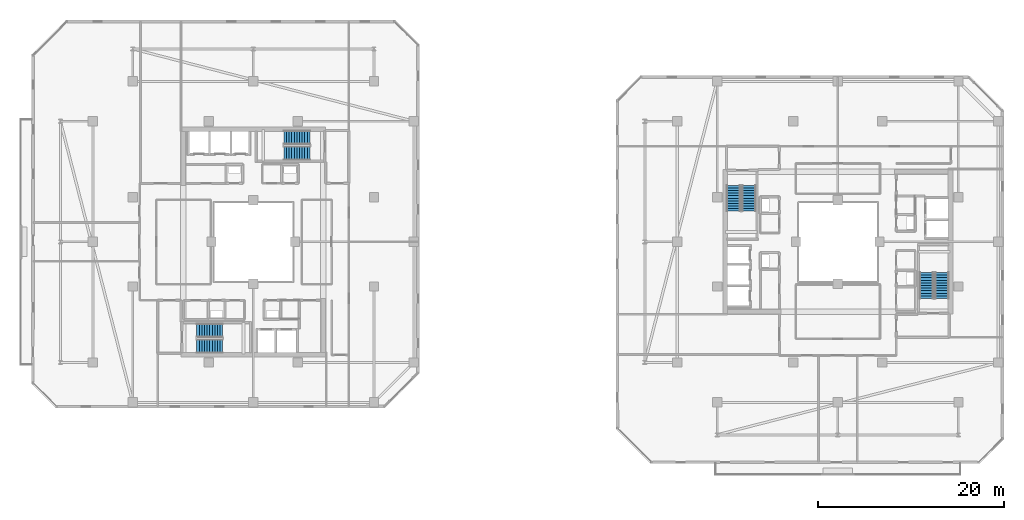
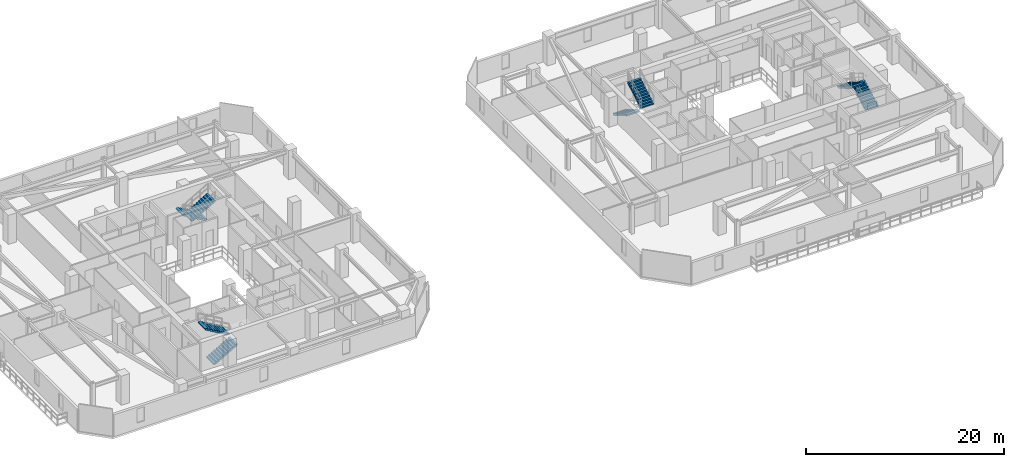
# One storey, part 27 of 33: 8 stair flights, 4 elements without a shape of their own.
"""IFC4 building model written with IfcOpenShell, lengths in metres."""

from ifc_helpers import new_model, si_unit, direction, frame, origin, place, context, subcontext, project, spatial, polyline, outline, extrude, material, type_object, element, aggregate, save


model = new_model("IFC4")

# Units and contexts
model_context = context("Model", 3, precision=1e-05, world=origin(), true_north=direction((0.0, 1.0)))
body_context = subcontext(model_context, "Body", "Model", "MODEL_VIEW")
ifc_project = project(units=[si_unit("LENGTHUNIT", "METRE"), si_unit("AREAUNIT", "SQUARE_METRE"), si_unit("VOLUMEUNIT", "CUBIC_METRE"), si_unit("PLANEANGLEUNIT", "RADIAN"), si_unit("MASSUNIT", "GRAM", prefix="KILO")], contexts=[model_context])

# Site, building, storey
site_placement = place(None, origin())
site = spatial("IfcSite", under=ifc_project, at=site_placement, CompositionType="ELEMENT")
building_placement = place(site_placement, origin())
building = spatial("IfcBuilding", under=site, at=building_placement, Name="Thornwick Lancets Civic Towers", CompositionType="ELEMENT")
storey_placement = place(building_placement, frame((0.0, 0.0, 207.300048828125)))
storey = spatial("IfcBuildingStorey", under=building, at=storey_placement, Name="L55", CompositionType="ELEMENT", Elevation=207.300048828125)

# Stair, stair flights
ifc_material = material(Name="Concrete C40/50", Category="concrete")
stair_type = type_object("IfcStairType", Name="STAIR_DL_3600", PredefinedType="HALF_TURN_STAIR", material=ifc_material)
stair_1_placement = place(storey_placement, origin())
stair_1 = element("IfcStair", 1, at=stair_1_placement, inside=storey, type_object=stair_type, Name="L55 Tower A South Exit Stair ST-A1", PredefinedType="HALF_TURN_STAIR")
stair_flight_type = type_object("IfcStairFlightType", Name="FLIGHT_3600", PredefinedType="STRAIGHT", material=ifc_material)
stair_flight_1_placement = place(storey_placement, frame((19.39990234375, 15.75, 0.0), z_axis=(0.0, 0.0, 1.0), x_axis=(1.0, 0.0, 0.0)))
stair_flight_1 = element("IfcStairFlight", 2, at=stair_flight_1_placement, type_object=stair_flight_type, Name="ST-A1 flight 1", NumberOfRisers=11, NumberOfTreads=10, PredefinedType="STRAIGHT", RiserHeight=0.163636364, TreadLength=0.28, context=body_context, shape_type="SweptSolid", body=[
    extrude(outline(polyline([(0.0, 0.0), (0.0, 0.16357421875), (0.280029296875, 0.16357421875), (0.280029296875, 0.327392578125), (0.56005859375, 0.327392578125), (0.56005859375, 0.490966796875), (0.840087890625, 0.490966796875), (0.840087890625, 0.654541015625), (1.1201171875, 0.654541015625), (1.1201171875, 0.818115234375), (1.39990234375, 0.818115234375), (1.39990234375, 0.98193359375), (1.679931640625, 0.98193359375), (1.679931640625, 1.1455078125), (1.9599609375, 1.1455078125), (1.9599609375, 1.30908203125), (2.239990234375, 1.30908203125), (2.239990234375, 1.47265625), (2.52001953125, 1.47265625), (2.52001953125, 1.636474609375), (2.800048828125, 1.636474609375), (2.800048828125, 1.800048828125), (2.800048828125, 1.462646484375), (0.297119140625, 0.0), (0.0, 0.0)])), frame((0.0, 0.75, 0.0), z_axis=(0.0, -1.0, 0.0), x_axis=(1.0, 0.0, 0.0)), (0.0, 0.0, 1.0), 1.5),
])
stair_flight_2_placement = place(storey_placement, frame((22.199951171875, 17.449951171875, 1.800048828125), z_axis=(0.0, 0.0, 1.0), x_axis=(-1.0, 0.0, 0.0)))
stair_flight_2 = element("IfcStairFlight", 3, at=stair_flight_2_placement, type_object=stair_flight_type, Name="ST-A1 flight 2", NumberOfRisers=11, NumberOfTreads=10, PredefinedType="STRAIGHT", RiserHeight=0.163636364, TreadLength=0.28, context=body_context, shape_type="SweptSolid", body=[
    extrude(outline(polyline([(0.0, 0.0), (0.0, 0.16357421875), (0.280029296875, 0.16357421875), (0.280029296875, 0.327392578125), (0.56005859375, 0.327392578125), (0.56005859375, 0.490966796875), (0.840087890625, 0.490966796875), (0.840087890625, 0.654541015625), (1.1201171875, 0.654541015625), (1.1201171875, 0.818115234375), (1.39990234375, 0.818115234375), (1.39990234375, 0.98193359375), (1.679931640625, 0.98193359375), (1.679931640625, 1.1455078125), (1.9599609375, 1.1455078125), (1.9599609375, 1.30908203125), (2.239990234375, 1.30908203125), (2.239990234375, 1.47265625), (2.52001953125, 1.47265625), (2.52001953125, 1.636474609375), (2.800048828125, 1.636474609375), (2.800048828125, 1.800048828125), (2.800048828125, 1.462646484375), (0.297119140625, 0.0), (0.0, 0.0)])), frame((0.0, 0.75, 0.0), z_axis=(0.0, -1.0, 0.0), x_axis=(1.0, 0.0, 0.0)), (0.0, 0.0, 1.0), 1.5),
])
aggregate(stair_1, [stair_flight_1, stair_flight_2])

stair_2_placement = place(storey_placement, origin())
stair_2 = element("IfcStair", 4, at=stair_2_placement, inside=storey, type_object=stair_type, Name="L55 Tower A North Exit Stair ST-A2", PredefinedType="HALF_TURN_STAIR")
stair_flight_3_placement = place(storey_placement, frame((31.60009765625, 38.25, 0.0), z_axis=(0.0, 0.0, 1.0), x_axis=(-1.0, 0.0, 0.0)))
stair_flight_3 = element("IfcStairFlight", 5, at=stair_flight_3_placement, type_object=stair_flight_type, Name="ST-A2 flight 1", NumberOfRisers=11, NumberOfTreads=10, PredefinedType="STRAIGHT", RiserHeight=0.163636364, TreadLength=0.28, context=body_context, shape_type="SweptSolid", body=[
    extrude(outline(polyline([(0.0, 0.0), (0.0, 0.16357421875), (0.280029296875, 0.16357421875), (0.280029296875, 0.327392578125), (0.56005859375, 0.327392578125), (0.56005859375, 0.490966796875), (0.840087890625, 0.490966796875), (0.840087890625, 0.654541015625), (1.1201171875, 0.654541015625), (1.1201171875, 0.818115234375), (1.39990234375, 0.818115234375), (1.39990234375, 0.98193359375), (1.679931640625, 0.98193359375), (1.679931640625, 1.1455078125), (1.9599609375, 1.1455078125), (1.9599609375, 1.30908203125), (2.239990234375, 1.30908203125), (2.239990234375, 1.47265625), (2.52001953125, 1.47265625), (2.52001953125, 1.636474609375), (2.800048828125, 1.636474609375), (2.800048828125, 1.800048828125), (2.800048828125, 1.462646484375), (0.297119140625, 0.0), (0.0, 0.0)])), frame((0.0, 0.75, 0.0), z_axis=(0.0, -1.0, 0.0), x_axis=(1.0, 0.0, 0.0)), (0.0, 0.0, 1.0), 1.5),
])
stair_flight_4_placement = place(storey_placement, frame((28.800048828125, 36.550048828125, 1.800048828125), z_axis=(0.0, 0.0, 1.0), x_axis=(1.0, 0.0, 0.0)))
stair_flight_4 = element("IfcStairFlight", 6, at=stair_flight_4_placement, type_object=stair_flight_type, Name="ST-A2 flight 2", NumberOfRisers=11, NumberOfTreads=10, PredefinedType="STRAIGHT", RiserHeight=0.163636364, TreadLength=0.28, context=body_context, shape_type="SweptSolid", body=[
    extrude(outline(polyline([(0.0, 0.0), (0.0, 0.16357421875), (0.280029296875, 0.16357421875), (0.280029296875, 0.327392578125), (0.56005859375, 0.327392578125), (0.56005859375, 0.490966796875), (0.840087890625, 0.490966796875), (0.840087890625, 0.654541015625), (1.1201171875, 0.654541015625), (1.1201171875, 0.818115234375), (1.39990234375, 0.818115234375), (1.39990234375, 0.98193359375), (1.679931640625, 0.98193359375), (1.679931640625, 1.1455078125), (1.9599609375, 1.1455078125), (1.9599609375, 1.30908203125), (2.239990234375, 1.30908203125), (2.239990234375, 1.47265625), (2.52001953125, 1.47265625), (2.52001953125, 1.636474609375), (2.800048828125, 1.636474609375), (2.800048828125, 1.800048828125), (2.800048828125, 1.462646484375), (0.297119140625, 0.0), (0.0, 0.0)])), frame((0.0, 0.75, 0.0), z_axis=(0.0, -1.0, 0.0), x_axis=(1.0, 0.0, 0.0)), (0.0, 0.0, 1.0), 1.5),
])
aggregate(stair_2, [stair_flight_3, stair_flight_4])

stair_3_placement = place(storey_placement, origin())
stair_3 = element("IfcStair", 7, at=stair_3_placement, inside=storey, type_object=stair_type, Name="L55 Tower B East Exit Stair ST-B1", PredefinedType="HALF_TURN_STAIR")
stair_flight_5_placement = place(storey_placement, frame((99.75, 20.89990234375, 0.0), z_axis=(0.0, 0.0, 1.0), x_axis=(0.0, 1.0, 0.0)))
stair_flight_5 = element("IfcStairFlight", 8, at=stair_flight_5_placement, type_object=stair_flight_type, Name="ST-B1 flight 1", NumberOfRisers=11, NumberOfTreads=10, PredefinedType="STRAIGHT", RiserHeight=0.163636364, TreadLength=0.28, context=body_context, shape_type="SweptSolid", body=[
    extrude(outline(polyline([(0.0, 0.0), (0.0, 0.16357421875), (0.280029296875, 0.16357421875), (0.280029296875, 0.327392578125), (0.56005859375, 0.327392578125), (0.56005859375, 0.490966796875), (0.840087890625, 0.490966796875), (0.840087890625, 0.654541015625), (1.1201171875, 0.654541015625), (1.1201171875, 0.818115234375), (1.39990234375, 0.818115234375), (1.39990234375, 0.98193359375), (1.679931640625, 0.98193359375), (1.679931640625, 1.1455078125), (1.9599609375, 1.1455078125), (1.9599609375, 1.30908203125), (2.239990234375, 1.30908203125), (2.239990234375, 1.47265625), (2.52001953125, 1.47265625), (2.52001953125, 1.636474609375), (2.800048828125, 1.636474609375), (2.800048828125, 1.800048828125), (2.800048828125, 1.462646484375), (0.297119140625, 0.0), (0.0, 0.0)])), frame((0.0, 0.75, 0.0), z_axis=(0.0, -1.0, 0.0), x_axis=(1.0, 0.0, 0.0)), (0.0, 0.0, 1.0), 1.5),
])
stair_flight_6_placement = place(storey_placement, frame((98.050048828125, 23.699951171875, 1.800048828125), z_axis=(0.0, 0.0, 1.0), x_axis=(0.0, -1.0, 0.0)))
stair_flight_6 = element("IfcStairFlight", 9, at=stair_flight_6_placement, type_object=stair_flight_type, Name="ST-B1 flight 2", NumberOfRisers=11, NumberOfTreads=10, PredefinedType="STRAIGHT", RiserHeight=0.163636364, TreadLength=0.28, context=body_context, shape_type="SweptSolid", body=[
    extrude(outline(polyline([(0.0, 0.0), (0.0, 0.16357421875), (0.280029296875, 0.16357421875), (0.280029296875, 0.327392578125), (0.56005859375, 0.327392578125), (0.56005859375, 0.490966796875), (0.840087890625, 0.490966796875), (0.840087890625, 0.654541015625), (1.1201171875, 0.654541015625), (1.1201171875, 0.818115234375), (1.39990234375, 0.818115234375), (1.39990234375, 0.98193359375), (1.679931640625, 0.98193359375), (1.679931640625, 1.1455078125), (1.9599609375, 1.1455078125), (1.9599609375, 1.30908203125), (2.239990234375, 1.30908203125), (2.239990234375, 1.47265625), (2.52001953125, 1.47265625), (2.52001953125, 1.636474609375), (2.800048828125, 1.636474609375), (2.800048828125, 1.800048828125), (2.800048828125, 1.462646484375), (0.297119140625, 0.0), (0.0, 0.0)])), frame((0.0, 0.75, 0.0), z_axis=(0.0, -1.0, 0.0), x_axis=(1.0, 0.0, 0.0)), (0.0, 0.0, 1.0), 1.5),
])
aggregate(stair_3, [stair_flight_5, stair_flight_6])

stair_4_placement = place(storey_placement, origin())
stair_4 = element("IfcStair", 10, at=stair_4_placement, inside=storey, type_object=stair_type, Name="L55 Tower B West Exit Stair ST-B2", PredefinedType="HALF_TURN_STAIR")
stair_flight_7_placement = place(storey_placement, frame((77.25, 33.10009765625, 0.0), z_axis=(0.0, 0.0, 1.0), x_axis=(0.0, -1.0, 0.0)))
stair_flight_7 = element("IfcStairFlight", 11, at=stair_flight_7_placement, type_object=stair_flight_type, Name="ST-B2 flight 1", NumberOfRisers=11, NumberOfTreads=10, PredefinedType="STRAIGHT", RiserHeight=0.163636364, TreadLength=0.28, context=body_context, shape_type="SweptSolid", body=[
    extrude(outline(polyline([(0.0, 0.0), (0.0, 0.16357421875), (0.280029296875, 0.16357421875), (0.280029296875, 0.327392578125), (0.56005859375, 0.327392578125), (0.56005859375, 0.490966796875), (0.840087890625, 0.490966796875), (0.840087890625, 0.654541015625), (1.1201171875, 0.654541015625), (1.1201171875, 0.818115234375), (1.39990234375, 0.818115234375), (1.39990234375, 0.98193359375), (1.679931640625, 0.98193359375), (1.679931640625, 1.1455078125), (1.9599609375, 1.1455078125), (1.9599609375, 1.30908203125), (2.239990234375, 1.30908203125), (2.239990234375, 1.47265625), (2.52001953125, 1.47265625), (2.52001953125, 1.636474609375), (2.800048828125, 1.636474609375), (2.800048828125, 1.800048828125), (2.800048828125, 1.462646484375), (0.297119140625, 0.0), (0.0, 0.0)])), frame((0.0, 0.75, 0.0), z_axis=(0.0, -1.0, 0.0), x_axis=(1.0, 0.0, 0.0)), (0.0, 0.0, 1.0), 1.5),
])
stair_flight_8_placement = place(storey_placement, frame((78.949951171875, 30.300048828125, 1.800048828125), z_axis=(0.0, 0.0, 1.0), x_axis=(0.0, 1.0, 0.0)))
stair_flight_8 = element("IfcStairFlight", 12, at=stair_flight_8_placement, type_object=stair_flight_type, Name="ST-B2 flight 2", NumberOfRisers=11, NumberOfTreads=10, PredefinedType="STRAIGHT", RiserHeight=0.163636364, TreadLength=0.28, context=body_context, shape_type="SweptSolid", body=[
    extrude(outline(polyline([(0.0, 0.0), (0.0, 0.16357421875), (0.280029296875, 0.16357421875), (0.280029296875, 0.327392578125), (0.56005859375, 0.327392578125), (0.56005859375, 0.490966796875), (0.840087890625, 0.490966796875), (0.840087890625, 0.654541015625), (1.1201171875, 0.654541015625), (1.1201171875, 0.818115234375), (1.39990234375, 0.818115234375), (1.39990234375, 0.98193359375), (1.679931640625, 0.98193359375), (1.679931640625, 1.1455078125), (1.9599609375, 1.1455078125), (1.9599609375, 1.30908203125), (2.239990234375, 1.30908203125), (2.239990234375, 1.47265625), (2.52001953125, 1.47265625), (2.52001953125, 1.636474609375), (2.800048828125, 1.636474609375), (2.800048828125, 1.800048828125), (2.800048828125, 1.462646484375), (0.297119140625, 0.0), (0.0, 0.0)])), frame((0.0, 0.75, 0.0), z_axis=(0.0, -1.0, 0.0), x_axis=(1.0, 0.0, 0.0)), (0.0, 0.0, 1.0), 1.5),
])
aggregate(stair_4, [stair_flight_7, stair_flight_8])

save(model, "model.ifc")
